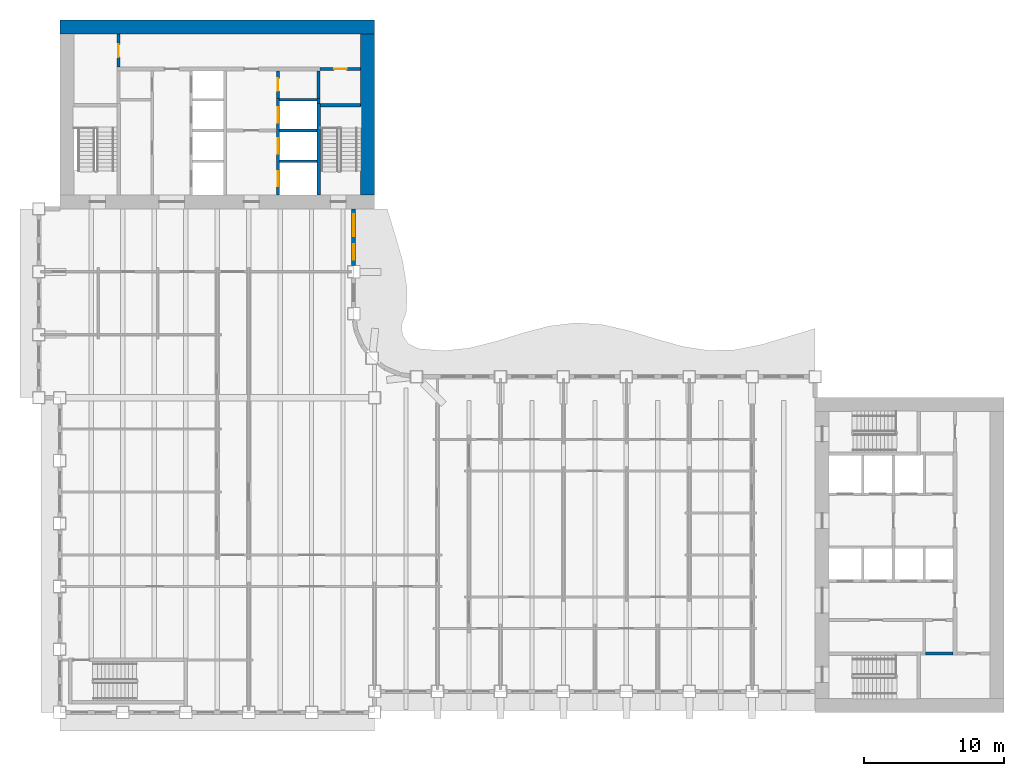
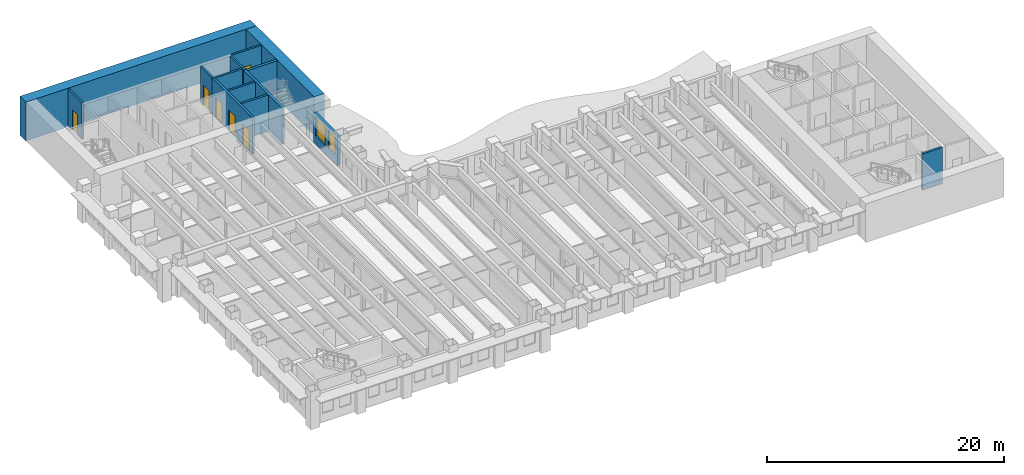
# One storey, part 9 of 16: 15 walls, 6 doors, 2 windows, 8 openings.
"""IFC4 building model written with IfcOpenShell, lengths in metres."""

from ifc_helpers import new_model, si_unit, direction, frame, frame_2d, origin, place, context, subcontext, project, spatial, rectangle, extrude, material, layer, layer_set, type_object, element, fill, save


model = new_model("IFC4")

# Units and contexts
model_context = context("Model", 3, precision=1e-05, world=origin(), true_north=direction((0.0, 1.0)))
body_context = subcontext(model_context, "Body", "Model", "MODEL_VIEW")
ifc_project = project(units=[si_unit("LENGTHUNIT", "METRE"), si_unit("AREAUNIT", "SQUARE_METRE"), si_unit("VOLUMEUNIT", "CUBIC_METRE"), si_unit("PLANEANGLEUNIT", "RADIAN"), si_unit("MASSUNIT", "GRAM", prefix="KILO")], contexts=[model_context])

# Site, building, storey
site_placement = place(None, origin())
site = spatial("IfcSite", under=ifc_project, at=site_placement, CompositionType="ELEMENT")
building_placement = place(site_placement, origin())
building = spatial("IfcBuilding", under=site, at=building_placement, Name="Sennacour Bend Tower", CompositionType="ELEMENT")
storey_placement = place(building_placement, frame((0.0, 0.0, 183.0)))
storey = spatial("IfcBuildingStorey", under=building, at=storey_placement, Name="L42", CompositionType="ELEMENT", Elevation=183.0)

# Walls
ifc_material_1 = material(Name="Concrete C60/75", Category="concrete")
ifc_layer_1 = layer(ifc_material_1, 1.0, Name="Concrete C60/75", Category="concrete")
ifc_layer_set_1 = layer_set([ifc_layer_1], Name="Concrete C60/75")
wall_type_1 = type_object("IfcWallType", Name="Core wall 1000 C60/75", PredefinedType="SHEAR", material=ifc_layer_set_1)
wall_1_placement = place(storey_placement, frame((0.0, 49.0, -0.14990234375), z_axis=(0.0, 0.0, 1.0), x_axis=(1.0, 0.0, 0.0)))
element("IfcWall", 1, at=wall_1_placement, inside=storey, type_object=wall_type_1, Name="Core B wall L42 N", PredefinedType="SHEAR", context=body_context, shape_type="SweptSolid", body=[
    extrude(rectangle(XDim=22.5, YDim=1.0, at=frame_2d((11.25, 0.0))), origin(), (0.0, 0.0, 1.0), 4.0),
])
wall_2_placement = place(storey_placement, frame((22.0, 37.0, -0.14990234375), z_axis=(0.0, 0.0, 1.0), x_axis=(0.0, 1.0, 0.0)))
element("IfcWall", 2, at=wall_2_placement, inside=storey, type_object=wall_type_1, Name="Core B wall L42 E", PredefinedType="SHEAR", context=body_context, shape_type="SweptSolid", body=[
    extrude(rectangle(XDim=11.5, YDim=1.0, at=frame_2d((5.75, 0.0))), origin(), (0.0, 0.0, 1.0), 4.0),
])

# Wall, opening, door
ifc_material_2 = material(Name="Fire-rated plasterboard partition on steel studs", Category="steel")
ifc_layer_2 = layer(ifc_material_2, 0.199951171875, Name="Fire-rated plasterboard partition on steel studs", Category="steel")
ifc_layer_set_2 = layer_set([ifc_layer_2], Name="Fire-rated plasterboard partition on steel studs")
wall_type_2 = type_object("IfcWallType", Name="Rated partition 200", PredefinedType="PARTITIONING", material=ifc_layer_set_2)
wall_3_placement = place(storey_placement, frame((4.199951171875, 46.14990234375, 0.0), z_axis=(0.0, 0.0, 1.0), x_axis=(0.0, 1.0, 0.0)))
wall_3 = element("IfcWall", 3, at=wall_3_placement, inside=storey, type_object=wall_type_2, Name="P-L42-W006b", PredefinedType="PARTITIONING", context=body_context, shape_type="SweptSolid", body=[
    extrude(rectangle(XDim=2.35009765625, YDim=0.199951171875, at=frame_2d((1.175048828125, 0.0))), origin(), (0.0, 0.0, 1.0), 3.75),
])
opening_1_placement = place(wall_3_placement, frame((0.7001953125, 0.0, 0.0)))
opening_1 = element("IfcOpeningElement", 4, at=opening_1_placement, cuts=wall_3, Name="Opening SV", PredefinedType="OPENING", context=body_context, shape_type="SweptSolid", body=[
    extrude(rectangle(XDim=0.89990234375, YDim=2.10009765625, at=frame_2d((0.449951171875, 1.050048828125))), frame((0.0, 0.10986328125, 0.0), z_axis=(0.0, -1.0, 0.0), x_axis=(1.0, 0.0, 0.0)), (0.0, 0.0, 1.0), 0.219970703125),
])
ifc_material_3 = material(Name="Painted steel", Category="steel")
door_type_1 = type_object("IfcDoorType", Name="DR-SERVICE-900", OperationType="NOTDEFINED", PredefinedType="DOOR", material=ifc_material_3)
door_1_placement = place(opening_1_placement, origin())
door_1 = element("IfcDoor", 5, at=door_1_placement, inside=storey, type_object=door_type_1, Name="Door", OperationType="SINGLE_SWING_LEFT", OverallHeight=2.10009765625, OverallWidth=0.89990234375, PredefinedType="DOOR", context=body_context, shape_type="SweptSolid", body=[
    extrude(rectangle(XDim=0.89990234375, YDim=2.10009765625, at=frame_2d((0.449951171875, 1.050048828125))), frame((0.0, 0.02490234375, 0.0), z_axis=(0.0, -1.0, 0.0), x_axis=(1.0, 0.0, 0.0)), (0.0, 0.0, 1.0), 0.050048828125),
])
fill(opening_1, door_1)

wall_4_placement = place(storey_placement, frame((15.60009765625, 43.89990234375, 0.0), z_axis=(0.0, 0.0, 1.0), x_axis=(0.0, 1.0, 0.0)))
wall_4 = element("IfcWall", 6, at=wall_4_placement, inside=storey, type_object=wall_type_2, Name="P-L42-W016", PredefinedType="PARTITIONING", context=body_context, shape_type="SweptSolid", body=[
    extrude(rectangle(XDim=1.9501953125, YDim=0.199951171875, at=frame_2d((0.97509765625, 0.0))), origin(), (0.0, 0.0, 1.0), 3.75),
])
opening_2_placement = place(wall_4_placement, frame((0.525146484375, 0.0, 0.0)))
opening_2 = element("IfcOpeningElement", 7, at=opening_2_placement, cuts=wall_4, Name="Opening SV", PredefinedType="OPENING", context=body_context, shape_type="SweptSolid", body=[
    extrude(rectangle(XDim=0.89990234375, YDim=2.10009765625, at=frame_2d((0.449951171875, 1.050048828125))), frame((0.0, 0.10986328125, 0.0), z_axis=(0.0, -1.0, 0.0), x_axis=(1.0, 0.0, 0.0)), (0.0, 0.0, 1.0), 0.219970703125),
])
door_2_placement = place(opening_2_placement, origin())
door_2 = element("IfcDoor", 8, at=door_2_placement, inside=storey, type_object=door_type_1, Name="Door", OperationType="SINGLE_SWING_RIGHT", OverallHeight=2.10009765625, OverallWidth=0.89990234375, PredefinedType="DOOR", context=body_context, shape_type="SweptSolid", body=[
    extrude(rectangle(XDim=0.89990234375, YDim=2.10009765625, at=frame_2d((0.449951171875, 1.050048828125))), frame((0.0, 0.02490234375, 0.0), z_axis=(0.0, -1.0, 0.0), x_axis=(1.0, 0.0, 0.0)), (0.0, 0.0, 1.0), 0.050048828125),
])
fill(opening_2, door_2)

# Walls
for number, where, z_axis, x_axis, name in (
    (9, (18.5, 43.89990234375, 0.0), (0.0, 0.0, 1.0), (0.0, 1.0, 0.0), "P-L42-W019"),
    (10, (61.89990234375, 4.199951171875, 0.0), (0.0, 0.0, 1.0), (1.0, 0.0, 0.0), "P-L42-W055b"),
):
    element("IfcWall", number, at=place(storey_placement, frame(where, z_axis=z_axis, x_axis=x_axis)), inside=storey, type_object=wall_type_2, Name=name, PredefinedType="PARTITIONING", context=body_context, shape_type="SweptSolid", body=[
        extrude(rectangle(XDim=1.9501953125, YDim=0.199951171875, at=frame_2d((0.97509765625, 0.0))), origin(), (0.0, 0.0, 1.0), 3.75),
    ])

# Wall, opening, door
wall_5_placement = place(storey_placement, frame((18.60009765625, 46.0, 0.0), z_axis=(0.0, 0.0, 1.0), x_axis=(1.0, 0.0, 0.0)))
wall_5 = element("IfcWall", 11, at=wall_5_placement, inside=storey, type_object=wall_type_2, Name="P-L42-W090", PredefinedType="PARTITIONING", context=body_context, shape_type="SweptSolid", body=[
    extrude(rectangle(XDim=2.89990234375, YDim=0.199951171875, at=frame_2d((1.449951171875, 0.0))), origin(), (0.0, 0.0, 1.0), 3.75),
])
opening_3_placement = place(wall_5_placement, frame((1.0, 0.0, 0.0)))
opening_3 = element("IfcOpeningElement", 12, at=opening_3_placement, cuts=wall_5, Name="Opening SV", PredefinedType="OPENING", context=body_context, shape_type="SweptSolid", body=[
    extrude(rectangle(XDim=0.89990234375, YDim=2.10009765625, at=frame_2d((0.449951171875, 1.050048828125))), frame((0.0, 0.10986328125, 0.0), z_axis=(0.0, -1.0, 0.0), x_axis=(1.0, 0.0, 0.0)), (0.0, 0.0, 1.0), 0.219970703125),
])
door_3_placement = place(opening_3_placement, origin())
door_3 = element("IfcDoor", 13, at=door_3_placement, inside=storey, type_object=door_type_1, Name="Door", OperationType="SINGLE_SWING_LEFT", OverallHeight=2.10009765625, OverallWidth=0.89990234375, PredefinedType="DOOR", context=body_context, shape_type="SweptSolid", body=[
    extrude(rectangle(XDim=0.89990234375, YDim=2.10009765625, at=frame_2d((0.449951171875, 1.050048828125))), frame((0.0, 0.02490234375, 0.0), z_axis=(0.0, -1.0, 0.0), x_axis=(1.0, 0.0, 0.0)), (0.0, 0.0, 1.0), 0.050048828125),
])
fill(opening_3, door_3)

# Wall, openings, windows
ifc_material_4 = material(Name="Warm limestone cladding", Category="masonry")
ifc_layer_3 = layer(ifc_material_4, 0.050048828125, Name="Warm limestone cladding", Category="masonry")
ifc_material_5 = material(Name="Precast concrete C40/50", Category="concrete")
ifc_layer_4 = layer(ifc_material_5, 0.25, Name="Precast concrete C40/50", Category="concrete")
ifc_layer_set_3 = layer_set([ifc_layer_3, ifc_layer_4], Name="Precast concrete C40/50 with limestone cladding")
wall_type_3 = type_object("IfcWallType", Name="STONE-CLAD PRECAST SPANDREL 300", PredefinedType="STANDARD", material=ifc_layer_set_3)
wall_6_placement = place(storey_placement, frame((21.0, 31.949951171875, 0.0), z_axis=(0.0, 0.0, 1.0), x_axis=(0.0, 1.0, 0.0)))
wall_6 = element("IfcWall", 14, at=wall_6_placement, inside=storey, type_object=wall_type_3, Name="Stone spandrel and pier wall L42 15.01", PredefinedType="STANDARD", context=body_context, shape_type="SweptSolid", body=[
    extrude(rectangle(XDim=4.050048828125, YDim=0.300048828125, at=frame_2d((2.02490234375, 0.0))), origin(), (0.0, 0.0, 1.0), 3.049072265625),
])
opening_4_placement = place(wall_6_placement, frame((0.39990234375, 0.0, 0.89990234375)))
opening_4 = element("IfcOpeningElement", 15, at=opening_4_placement, cuts=wall_6, Name="Opening W19", PredefinedType="OPENING", context=body_context, shape_type="SweptSolid", body=[
    extrude(rectangle(XDim=1.10009765625, YDim=2.0, at=frame_2d((0.550048828125, 1.0))), frame((0.0, 0.16015625, 0.0), z_axis=(0.0, -1.0, 0.0), x_axis=(1.0, 0.0, 0.0)), (0.0, 0.0, 1.0), 0.320068359375),
])
opening_5_placement = place(wall_6_placement, frame((2.10009765625, 0.0, 0.89990234375)))
opening_5 = element("IfcOpeningElement", 16, at=opening_5_placement, cuts=wall_6, Name="Opening W9", PredefinedType="OPENING", context=body_context, shape_type="SweptSolid", body=[
    extrude(rectangle(XDim=1.550048828125, YDim=2.0, at=frame_2d((0.77490234375, 1.0))), frame((0.0, 0.16015625, 0.0), z_axis=(0.0, -1.0, 0.0), x_axis=(1.0, 0.0, 0.0)), (0.0, 0.0, 1.0), 0.320068359375),
])
ifc_material_6 = material(Name="Clear low-emissivity glass", Category="glass")
window_type_1 = type_object("IfcWindowType", Name="WIN-RIBBON-1100x2000", PartitioningType="SINGLE_PANEL", PredefinedType="WINDOW", material=ifc_material_6)
window_1_placement = place(opening_4_placement, origin())
window_1 = element("IfcWindow", 17, at=window_1_placement, inside=storey, type_object=window_type_1, Name="Ribbon window L42 15.01.0", OverallHeight=2.0, OverallWidth=1.10009765625, PartitioningType="SINGLE_PANEL", PredefinedType="WINDOW", context=body_context, shape_type="SweptSolid", body=[
    extrude(rectangle(XDim=1.10009765625, YDim=2.0, at=frame_2d((0.550048828125, 1.0))), frame((0.0, 0.030029296875, 0.0), z_axis=(0.0, -1.0, 0.0), x_axis=(1.0, 0.0, 0.0)), (0.0, 0.0, 1.0), 0.06005859375),
])
fill(opening_4, window_1)
window_type_2 = type_object("IfcWindowType", Name="WIN-RIBBON-1550x2000", PartitioningType="SINGLE_PANEL", PredefinedType="WINDOW", material=ifc_material_6)
window_2_placement = place(opening_5_placement, origin())
window_2 = element("IfcWindow", 18, at=window_2_placement, inside=storey, type_object=window_type_2, Name="Ribbon window L42 15.01.1", OverallHeight=2.0, OverallWidth=1.550048828125, PartitioningType="SINGLE_PANEL", PredefinedType="WINDOW", context=body_context, shape_type="SweptSolid", body=[
    extrude(rectangle(XDim=1.550048828125, YDim=2.0, at=frame_2d((0.77490234375, 1.0))), frame((0.0, 0.030029296875, 0.0), z_axis=(0.0, -1.0, 0.0), x_axis=(1.0, 0.0, 0.0)), (0.0, 0.0, 1.0), 0.06005859375),
])
fill(opening_5, window_2)

# Wall, openings, doors
ifc_material_7 = material(Name="Concrete C50/60", Category="concrete")
ifc_layer_5 = layer(ifc_material_7, 0.199951171875, Name="Concrete C50/60", Category="concrete")
ifc_layer_set_4 = layer_set([ifc_layer_5], Name="Concrete C50/60")
wall_type_4 = type_object("IfcWallType", Name="Shaft wall 200", PredefinedType="SOLIDWALL", material=ifc_layer_set_4)
wall_7_placement = place(storey_placement, frame((15.60009765625, 37.0, 0.0), z_axis=(0.0, 0.0, 1.0), x_axis=(0.0, 1.0, 0.0)))
wall_7 = element("IfcWall", 19, at=wall_7_placement, inside=storey, type_object=wall_type_4, Name="P-L42-W015", PredefinedType="SOLIDWALL", context=body_context, shape_type="SweptSolid", body=[
    extrude(rectangle(XDim=6.89990234375, YDim=0.199951171875, at=frame_2d((3.449951171875, 0.0))), origin(), (0.0, 0.0, 1.0), 3.75),
])
opening_6_placement = place(wall_7_placement, frame((0.60009765625, 0.0, 0.011962890625)))
opening_6 = element("IfcOpeningElement", 20, at=opening_6_placement, cuts=wall_7, Name="Opening FLD", PredefinedType="OPENING", context=body_context, shape_type="SweptSolid", body=[
    extrude(rectangle(XDim=1.10009765625, YDim=2.10009765625, at=frame_2d((0.550048828125, 1.050048828125))), frame((0.0, 0.10986328125, 0.0), z_axis=(0.0, -1.0, 0.0), x_axis=(1.0, 0.0, 0.0)), (0.0, 0.0, 1.0), 0.219970703125),
])
opening_7_placement = place(wall_7_placement, frame((2.949951171875, 0.0, 0.011962890625)))
opening_7 = element("IfcOpeningElement", 21, at=opening_7_placement, cuts=wall_7, Name="Opening FLD", PredefinedType="OPENING", context=body_context, shape_type="SweptSolid", body=[
    extrude(rectangle(XDim=1.10009765625, YDim=2.10009765625, at=frame_2d((0.550048828125, 1.050048828125))), frame((0.0, 0.10986328125, 0.0), z_axis=(0.0, -1.0, 0.0), x_axis=(1.0, 0.0, 0.0)), (0.0, 0.0, 1.0), 0.219970703125),
])
opening_8_placement = place(wall_7_placement, frame((5.14990234375, 0.0, 0.011962890625)))
opening_8 = element("IfcOpeningElement", 22, at=opening_8_placement, cuts=wall_7, Name="Opening LD", PredefinedType="OPENING", context=body_context, shape_type="SweptSolid", body=[
    extrude(rectangle(XDim=1.10009765625, YDim=2.10009765625, at=frame_2d((0.550048828125, 1.050048828125))), frame((0.0, 0.10986328125, 0.0), z_axis=(0.0, -1.0, 0.0), x_axis=(1.0, 0.0, 0.0)), (0.0, 0.0, 1.0), 0.219970703125),
])
ifc_material_8 = material(Name="Stainless steel", Category="steel")
door_type_2 = type_object("IfcDoorType", Name="DR-FF-LANDING-1100", OperationType="NOTDEFINED", PredefinedType="DOOR", material=ifc_material_8)
door_4_placement = place(opening_6_placement, origin())
door_4 = element("IfcDoor", 23, at=door_4_placement, inside=storey, type_object=door_type_2, Name="Fire service lift landing door FB1", OperationType="SLIDING_TO_RIGHT", OverallHeight=2.10009765625, OverallWidth=1.10009765625, PredefinedType="DOOR", context=body_context, shape_type="SweptSolid", body=[
    extrude(rectangle(XDim=1.10009765625, YDim=2.10009765625, at=frame_2d((0.550048828125, 1.050048828125))), frame((0.0, 0.02490234375, 0.0), z_axis=(0.0, -1.0, 0.0), x_axis=(1.0, 0.0, 0.0)), (0.0, 0.0, 1.0), 0.050048828125),
])
fill(opening_6, door_4)
door_5_placement = place(opening_7_placement, origin())
door_5 = element("IfcDoor", 24, at=door_5_placement, inside=storey, type_object=door_type_2, Name="Fire service lift landing door FB2", OperationType="SLIDING_TO_LEFT", OverallHeight=2.10009765625, OverallWidth=1.10009765625, PredefinedType="DOOR", context=body_context, shape_type="SweptSolid", body=[
    extrude(rectangle(XDim=1.10009765625, YDim=2.10009765625, at=frame_2d((0.550048828125, 1.050048828125))), frame((0.0, 0.02490234375, 0.0), z_axis=(0.0, -1.0, 0.0), x_axis=(1.0, 0.0, 0.0)), (0.0, 0.0, 1.0), 0.050048828125),
])
fill(opening_7, door_5)
door_type_3 = type_object("IfcDoorType", Name="DR-LANDING-1100", OperationType="NOTDEFINED", PredefinedType="DOOR", material=ifc_material_8)
door_6_placement = place(opening_8_placement, origin())
door_6 = element("IfcDoor", 25, at=door_6_placement, inside=storey, type_object=door_type_3, Name="Lift landing door MB5", OperationType="SLIDING_TO_RIGHT", OverallHeight=2.10009765625, OverallWidth=1.10009765625, PredefinedType="DOOR", context=body_context, shape_type="SweptSolid", body=[
    extrude(rectangle(XDim=1.10009765625, YDim=2.10009765625, at=frame_2d((0.550048828125, 1.050048828125))), frame((0.0, 0.02490234375, 0.0), z_axis=(0.0, -1.0, 0.0), x_axis=(1.0, 0.0, 0.0)), (0.0, 0.0, 1.0), 0.050048828125),
])
fill(opening_8, door_6)

# Walls
wall_8_placement = place(storey_placement, frame((18.5, 43.52490234375, 0.0), z_axis=(0.0, 0.0, 1.0), x_axis=(0.0, 1.0, 0.0)))
element("IfcWall", 26, at=wall_8_placement, inside=storey, type_object=wall_type_4, Name="P-L42-W018", PredefinedType="SOLIDWALL", context=body_context, shape_type="SweptSolid", body=[
    extrude(rectangle(XDim=0.375, YDim=0.199951171875, at=frame_2d((0.1875, 0.0))), origin(), (0.0, 0.0, 1.0), 3.75),
])
for number, where, z_axis, x_axis, name in (
    (27, (15.699951171875, 39.39990234375, 0.0), (0.0, 0.0, 1.0), (1.0, 0.0, 0.0), "P-L42-W080"),
    (28, (15.699951171875, 41.60009765625, 0.0), (0.0, 0.0, 1.0), (1.0, 0.0, 0.0), "P-L42-W083"),
):
    element("IfcWall", number, at=place(storey_placement, frame(where, z_axis=z_axis, x_axis=x_axis)), inside=storey, type_object=wall_type_4, Name=name, PredefinedType="SOLIDWALL", context=body_context, shape_type="SweptSolid", body=[
        extrude(rectangle(XDim=2.675048828125, YDim=0.199951171875, at=frame_2d((1.33740234375, 0.0))), origin(), (0.0, 0.0, 1.0), 3.75),
    ])
wall_9_placement = place(storey_placement, frame((15.699951171875, 43.800048828125, 0.0), z_axis=(0.0, 0.0, 1.0), x_axis=(1.0, 0.0, 0.0)))
element("IfcWall", 29, at=wall_9_placement, inside=storey, type_object=wall_type_4, Name="P-L42-W088", PredefinedType="SOLIDWALL", context=body_context, shape_type="SweptSolid", body=[
    extrude(rectangle(XDim=2.699951171875, YDim=0.199951171875, at=frame_2d((1.35009765625, 0.0))), origin(), (0.0, 0.0, 1.0), 3.75),
])
ifc_layer_6 = layer(ifc_material_1, 0.25, Name="Concrete C60/75", Category="concrete")
ifc_layer_set_5 = layer_set([ifc_layer_6], Name="Concrete C60/75")
wall_type_5 = type_object("IfcWallType", Name="Stair wall 250", PredefinedType="SHEAR", material=ifc_layer_set_5)
wall_10_placement = place(storey_placement, frame((18.5, 37.0, 0.0), z_axis=(0.0, 0.0, 1.0), x_axis=(0.0, 1.0, 0.0)))
element("IfcWall", 30, at=wall_10_placement, inside=storey, type_object=wall_type_5, Name="P-L42-W017", PredefinedType="SHEAR", context=body_context, shape_type="SweptSolid", body=[
    extrude(rectangle(XDim=6.52490234375, YDim=0.25, at=frame_2d((3.262451171875, 0.0))), origin(), (0.0, 0.0, 1.0), 3.75),
])
wall_11_placement = place(storey_placement, frame((18.625, 43.39990234375, 0.0), z_axis=(0.0, 0.0, 1.0), x_axis=(1.0, 0.0, 0.0)))
element("IfcWall", 31, at=wall_11_placement, inside=storey, type_object=wall_type_5, Name="P-L42-W085", PredefinedType="SHEAR", context=body_context, shape_type="SweptSolid", body=[
    extrude(rectangle(XDim=2.875, YDim=0.25, at=frame_2d((1.4375, 0.0))), origin(), (0.0, 0.0, 1.0), 3.75),
])

save(model, "model.ifc")
